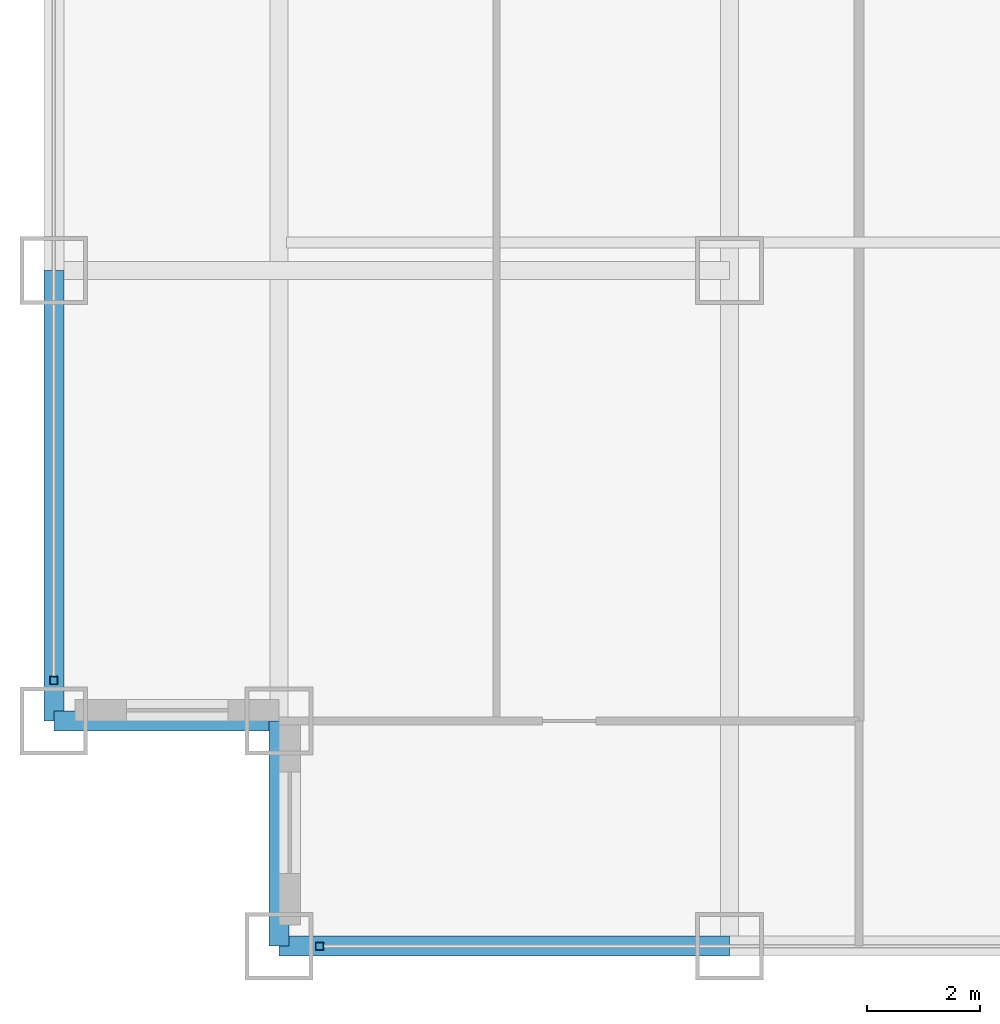
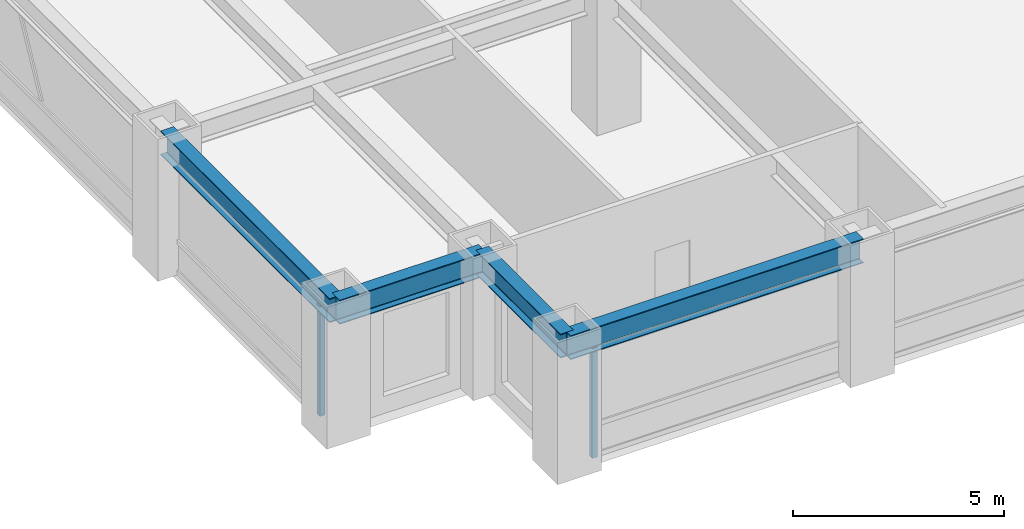
# One storey, part 2 of 27: 4 beams, 2 members, 2 elements without a shape of their own.
"""IFC4 building model written with IfcOpenShell, lengths in metres."""

from ifc_helpers import new_model, si_unit, direction, frame, origin, origin_2d, place, context, subcontext, project, spatial, hollow_rectangle, i_section, extrude, source, transform, mapped, material, material_profile, profile_set, type_object, element, aggregate, save


model = new_model("IFC4")

# Units and contexts
model_context = context("Model", 3, precision=1e-05, world=origin(), true_north=direction((0.0, 1.0)))
body_context = subcontext(model_context, "Body", "Model", "MODEL_VIEW")
ifc_project = project(units=[si_unit("LENGTHUNIT", "METRE"), si_unit("AREAUNIT", "SQUARE_METRE"), si_unit("VOLUMEUNIT", "CUBIC_METRE"), si_unit("PLANEANGLEUNIT", "RADIAN"), si_unit("MASSUNIT", "GRAM", prefix="KILO")], contexts=[model_context])

# Site, building, storey
site_placement = place(None, origin())
site = spatial("IfcSite", under=ifc_project, at=site_placement, CompositionType="ELEMENT")
building_placement = place(site_placement, origin())
building = spatial("IfcBuilding", under=site, at=building_placement, Name="Khorayat Bourse Tower", CompositionType="ELEMENT")
storey_placement = place(building_placement, frame((0.0, 0.0, 111.89990234375)))
storey = spatial("IfcBuildingStorey", under=building, at=storey_placement, Name="L25", CompositionType="ELEMENT", Elevation=111.89990234375)

# Beams
ifc_material_1 = material(Name="Steel ASTM A992 Grade 50", Category="steel")
ifc_material_profile_1 = material_profile(ifc_material_1, i_section(OverallWidth=0.35498046875, OverallDepth=0.695068359375, WebThickness=0.015380859375, FlangeThickness=0.02490234375, FilletRadius=0.01806640625, at=origin_2d()), Name="W690X217")
ifc_profile_set_1 = profile_set([ifc_material_profile_1], Name="Steel ASTM A992 Grade 50")
beam_type = type_object("IfcBeamType", Name="BM-SPAN-690", PredefinedType="SPANDREL", material=ifc_profile_set_1)
shared_shape_1 = source(origin(), body_context, "Body", "SweptSolid", [
    extrude(i_section(OverallWidth=0.35498046875, OverallDepth=0.695068359375, WebThickness=0.015380859375, FlangeThickness=0.02490234375, FilletRadius=0.01806640625, at=origin_2d()), origin(), (0.0, 0.0, 1.0), 8.0),
])
for number, where, z_axis, x_axis, name in (
    (1, (-28.0, -32.0, 3.49267578125), (1.0, 0.0, 0.0), (0.0, 1.0, 0.0), "L25 BM-SPAN-690 BM-L25-SPN-024"),
    (2, (-32.0, -28.0, 3.49267578125), (0.0, 1.0, 0.0), (-1.0, 0.0, 0.0), "L25 BM-SPAN-690 BM-L25-SPN-061"),
):
    element("IfcBeam", number, at=place(storey_placement, frame(where, z_axis=z_axis, x_axis=x_axis)), inside=storey, type_object=beam_type, Name=name, PredefinedType="SPANDREL", context=body_context, shape_type="MappedRepresentation", body=[
        mapped(shared_shape_1, transform((0.0, 0.0, 0.0), scale=1.0)),
    ])
shared_shape_2 = source(origin(), body_context, "Body", "SweptSolid", [
    extrude(i_section(OverallWidth=0.35498046875, OverallDepth=0.695068359375, WebThickness=0.015380859375, FlangeThickness=0.02490234375, FilletRadius=0.01806640625, at=origin_2d()), origin(), (0.0, 0.0, 1.0), 4.0),
])
for number, where, z_axis, x_axis, name in (
    (3, (-32.0, -28.0, 3.49267578125), (1.0, 0.0, 0.0), (0.0, 1.0, 0.0), "L25 BM-SPAN-690 BM-L25-SPN-062"),
    (4, (-28.0, -32.0, 3.49267578125), (0.0, 1.0, 0.0), (-1.0, 0.0, 0.0), "L25 BM-SPAN-690 BM-L25-SPN-063"),
):
    element("IfcBeam", number, at=place(storey_placement, frame(where, z_axis=z_axis, x_axis=x_axis)), inside=storey, type_object=beam_type, Name=name, PredefinedType="SPANDREL", context=body_context, shape_type="MappedRepresentation", body=[
        mapped(shared_shape_2, transform((0.0, 0.0, 0.0), scale=1.0)),
    ])

# Curtain wall, member
ifc_material_2 = material(Name="Aluminium EN AW-6063 T6", Category="aluminium")
curtain_wall_type = type_object("IfcCurtainWallType", Name="CW-SYS-02", PredefinedType="NOTDEFINED", material=ifc_material_2)
curtain_wall_1_placement = place(storey_placement, origin())
curtain_wall_1 = element("IfcCurtainWall", 5, at=curtain_wall_1_placement, inside=storey, type_object=curtain_wall_type, Name="L25 Curtain Wall CW-L25-S1", PredefinedType="NOTDEFINED")
ifc_material_profile_2 = material_profile(ifc_material_2, hollow_rectangle(XDim=0.139892578125, YDim=0.139892578125, WallThickness=0.006103515625, at=origin_2d()), Name="ALU 140x140x6")
ifc_profile_set_2 = profile_set([ifc_material_profile_2], Name="Aluminium EN AW-6063 T6")
member_type = type_object("IfcMemberType", Name="CWM-VERT-140", PredefinedType="MULLION", material=ifc_profile_set_2)
shared_shape_3 = source(origin(), body_context, "Body", "SweptSolid", [
    extrude(hollow_rectangle(XDim=0.139892578125, YDim=0.139892578125, WallThickness=0.006103515625, at=origin_2d()), origin(), (0.0, 0.0, 1.0), 3.190185546875),
])
member_1_placement = place(storey_placement, frame((-27.280029296875, -32.0, 0.0), z_axis=(0.0, 0.0, 1.0), x_axis=(0.0, 1.0, 0.0)))
member_1 = element("IfcMember", 6, at=member_1_placement, type_object=member_type, Name="CW-L25-S1 Vertical Mullion 1", PredefinedType="MULLION", context=body_context, shape_type="MappedRepresentation", body=[
    mapped(shared_shape_3, transform((0.0, 0.0, 0.0), scale=1.0)),
])
aggregate(curtain_wall_1, [member_1])

curtain_wall_2_placement = place(storey_placement, origin())
curtain_wall_2 = element("IfcCurtainWall", 7, at=curtain_wall_2_placement, inside=storey, type_object=curtain_wall_type, Name="L25 Curtain Wall CW-L25-W1", PredefinedType="NOTDEFINED")
member_2_placement = place(storey_placement, frame((-32.0, -27.280029296875, 0.0), z_axis=(0.0, 0.0, 1.0), x_axis=(-1.0, 0.0, 0.0)))
member_2 = element("IfcMember", 8, at=member_2_placement, type_object=member_type, Name="CW-L25-W1 Vertical Mullion 1", PredefinedType="MULLION", context=body_context, shape_type="MappedRepresentation", body=[
    mapped(shared_shape_3, transform((0.0, 0.0, 0.0), scale=1.0)),
])
aggregate(curtain_wall_2, [member_2])

save(model, "model.ifc")
